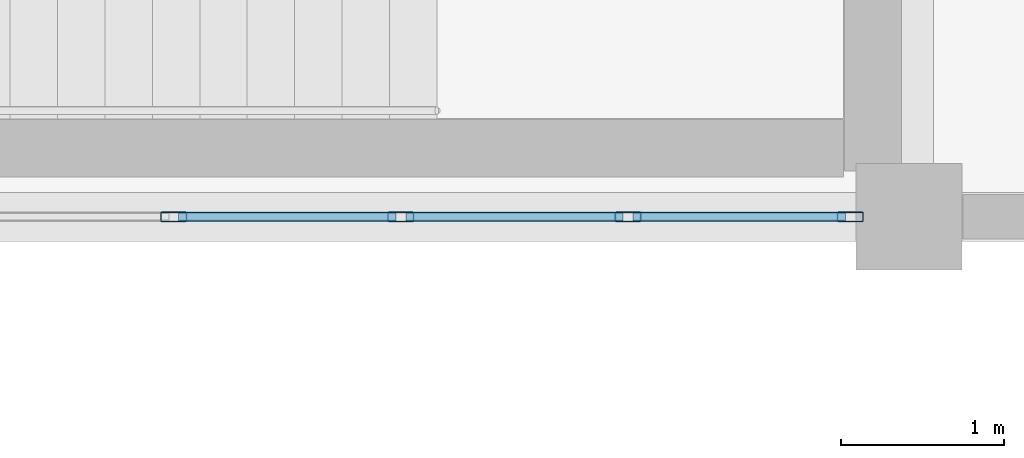
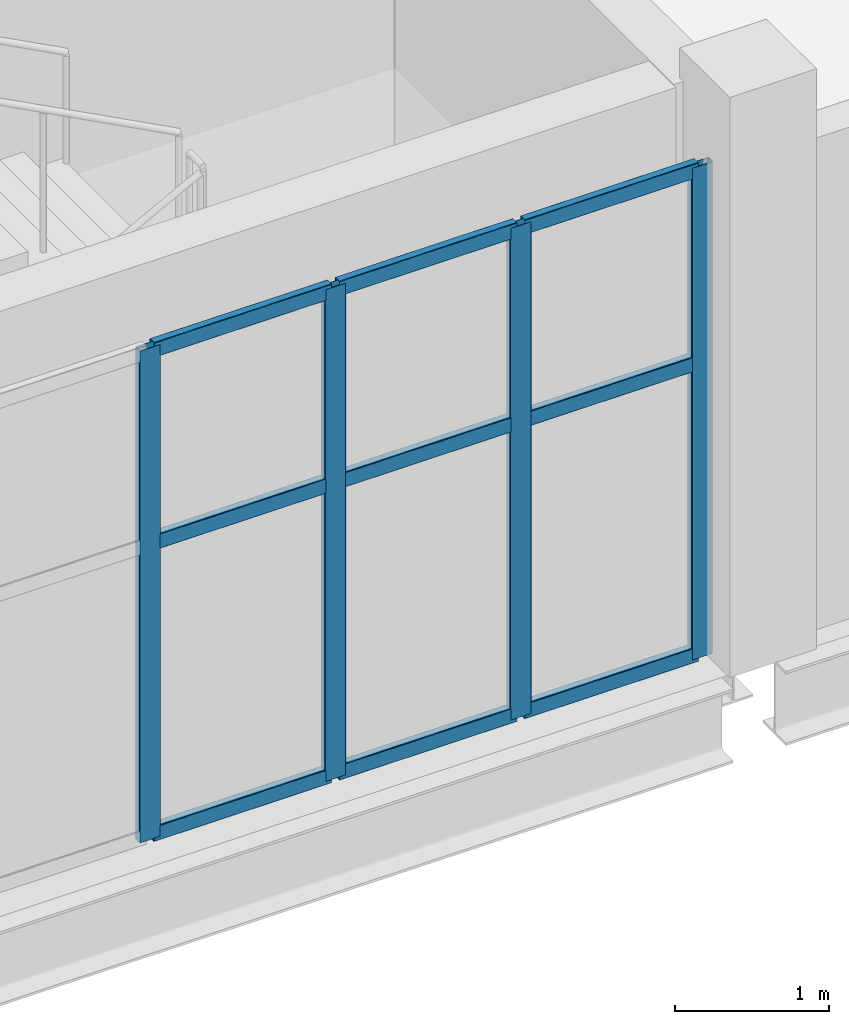
# One storey, part 121 of 172: 13 members, 1 element without a shape of its own.
"""IFC4 building model written with IfcOpenShell, lengths in metres."""

from ifc_helpers import new_model, si_unit, direction, frame, origin, origin_2d, place, context, subcontext, project, spatial, hollow_rectangle, extrude, material, material_profile, profile_set, type_object, element, aggregate, save


model = new_model("IFC4")

# Units and contexts
model_context = context("Model", 3, precision=1e-05, world=origin(), true_north=direction((0.0, 1.0)))
body_context = subcontext(model_context, "Body", "Model", "MODEL_VIEW")
ifc_project = project(units=[si_unit("LENGTHUNIT", "METRE"), si_unit("AREAUNIT", "SQUARE_METRE"), si_unit("VOLUMEUNIT", "CUBIC_METRE"), si_unit("PLANEANGLEUNIT", "RADIAN"), si_unit("MASSUNIT", "GRAM", prefix="KILO")], contexts=[model_context])

# Site, building, storey
site_placement = place(None, origin())
site = spatial("IfcSite", under=ifc_project, at=site_placement, CompositionType="ELEMENT")
building_placement = place(site_placement, origin())
building = spatial("IfcBuilding", under=site, at=building_placement, Name="Shengluoqiao Park Theatre", CompositionType="ELEMENT")
storey_placement = place(building_placement, frame((0.0, 0.0, 5.39990234375)))
storey = spatial("IfcBuildingStorey", under=building, at=storey_placement, Name="L01", CompositionType="ELEMENT", Elevation=5.39990234375)

# Curtain wall, members
ifc_material = material(Name="Aluminium 6063-T6", Category="aluminium")
curtain_wall_type = type_object("IfcCurtainWallType", Name="ENV-CW-CLERE", PredefinedType="NOTDEFINED", material=ifc_material)
curtain_wall_placement = place(storey_placement, origin())
curtain_wall = element("IfcCurtainWall", 1, at=curtain_wall_placement, inside=storey, type_object=curtain_wall_type, Name="L01 Curtain Wall CWX-L01-0178", PredefinedType="NOTDEFINED")
ifc_material_profile_1 = material_profile(ifc_material, hollow_rectangle(XDim=0.06005859375, YDim=0.159912109375, WallThickness=0.00390625, InnerFilletRadius=0.00390625, OuterFilletRadius=0.008056640625, at=origin_2d()), Name="ALU MULLION 160x60x4")
ifc_profile_set_1 = profile_set([ifc_material_profile_1], Name="Aluminium 6063-T6")
member_type_1 = type_object("IfcMemberType", Name="ENV-MUL-160", PredefinedType="MULLION", material=ifc_profile_set_1)
member_1_placement = place(storey_placement, frame((143.89990234375, 84.0, 0.0), z_axis=(0.0, 0.0, 1.0), x_axis=(0.0, 1.0, 0.0)))
member_1 = element("IfcMember", 2, at=member_1_placement, type_object=member_type_1, Name="CW-06 mullion 4", PredefinedType="MULLION", context=body_context, shape_type="SweptSolid", body=[
    extrude(hollow_rectangle(XDim=0.06005859375, YDim=0.159912109375, WallThickness=0.00390625, InnerFilletRadius=0.00390625, OuterFilletRadius=0.008056640625, at=origin_2d()), origin(), (0.0, 0.0, 1.0), 3.898193359375),
])
member_2_placement = place(storey_placement, frame((145.290283203125, 84.0, 0.0), z_axis=(0.0, 0.0, 1.0), x_axis=(0.0, 1.0, 0.0)))
member_2 = element("IfcMember", 3, at=member_2_placement, type_object=member_type_1, Name="CW-06 mullion 5", PredefinedType="MULLION", context=body_context, shape_type="SweptSolid", body=[
    extrude(hollow_rectangle(XDim=0.06005859375, YDim=0.159912109375, WallThickness=0.00390625, InnerFilletRadius=0.00390625, OuterFilletRadius=0.008056640625, at=origin_2d()), origin(), (0.0, 0.0, 1.0), 3.898193359375),
])
member_3_placement = place(storey_placement, frame((146.6806640625, 84.0, 0.0), z_axis=(0.0, 0.0, 1.0), x_axis=(0.0, 1.0, 0.0)))
member_3 = element("IfcMember", 4, at=member_3_placement, type_object=member_type_1, Name="CW-06 mullion 6", PredefinedType="MULLION", context=body_context, shape_type="SweptSolid", body=[
    extrude(hollow_rectangle(XDim=0.06005859375, YDim=0.159912109375, WallThickness=0.00390625, InnerFilletRadius=0.00390625, OuterFilletRadius=0.008056640625, at=origin_2d()), origin(), (0.0, 0.0, 1.0), 3.898193359375),
])
member_4_placement = place(storey_placement, frame((148.041015625, 84.0, 0.0), z_axis=(0.0, 0.0, 1.0), x_axis=(0.0, 1.0, 0.0)))
member_4 = element("IfcMember", 5, at=member_4_placement, type_object=member_type_1, Name="CW-06 mullion 7", PredefinedType="MULLION", context=body_context, shape_type="SweptSolid", body=[
    extrude(hollow_rectangle(XDim=0.06005859375, YDim=0.159912109375, WallThickness=0.00390625, InnerFilletRadius=0.00390625, OuterFilletRadius=0.008056640625, at=origin_2d()), origin(), (0.0, 0.0, 1.0), 3.898193359375),
])
ifc_material_profile_2 = material_profile(ifc_material, hollow_rectangle(XDim=0.06005859375, YDim=0.1201171875, WallThickness=0.00390625, InnerFilletRadius=0.00390625, OuterFilletRadius=0.008056640625, at=origin_2d()), Name="ALU TRANSOM 120x60x4")
ifc_profile_set_2 = profile_set([ifc_material_profile_2], Name="Aluminium 6063-T6")
member_type_2 = type_object("IfcMemberType", Name="ENV-TRN-120", PredefinedType="USERDEFINED", material=ifc_profile_set_2)
member_5_placement = place(storey_placement, frame((143.929931640625, 84.0, 0.030029296875), z_axis=(1.0, 0.0, 0.0), x_axis=(0.0, 1.0, 0.0)))
member_5 = element("IfcMember", 6, at=member_5_placement, type_object=member_type_2, Name="CW-06 transom 4.1", ObjectType="TRANSOM", PredefinedType="USERDEFINED", context=body_context, shape_type="SweptSolid", body=[
    extrude(hollow_rectangle(XDim=0.06005859375, YDim=0.1201171875, WallThickness=0.00390625, InnerFilletRadius=0.00390625, OuterFilletRadius=0.008056640625, at=origin_2d()), origin(), (0.0, 0.0, 1.0), 1.330322265625),
])
member_6_placement = place(storey_placement, frame((143.929931640625, 84.0, 2.339111328125), z_axis=(1.0, 0.0, 0.0), x_axis=(0.0, 1.0, 0.0)))
member_6 = element("IfcMember", 7, at=member_6_placement, type_object=member_type_2, Name="CW-06 transom 4.2", ObjectType="TRANSOM", PredefinedType="USERDEFINED", context=body_context, shape_type="SweptSolid", body=[
    extrude(hollow_rectangle(XDim=0.06005859375, YDim=0.1201171875, WallThickness=0.00390625, InnerFilletRadius=0.00390625, OuterFilletRadius=0.008056640625, at=origin_2d()), origin(), (0.0, 0.0, 1.0), 1.330322265625),
])
member_7_placement = place(storey_placement, frame((143.929931640625, 84.0, 3.8681640625), z_axis=(1.0, 0.0, 0.0), x_axis=(0.0, 1.0, 0.0)))
member_7 = element("IfcMember", 8, at=member_7_placement, type_object=member_type_2, Name="CW-06 transom 4.3", ObjectType="TRANSOM", PredefinedType="USERDEFINED", context=body_context, shape_type="SweptSolid", body=[
    extrude(hollow_rectangle(XDim=0.06005859375, YDim=0.1201171875, WallThickness=0.00390625, InnerFilletRadius=0.00390625, OuterFilletRadius=0.008056640625, at=origin_2d()), origin(), (0.0, 0.0, 1.0), 1.330322265625),
])
member_8_placement = place(storey_placement, frame((145.3203125, 84.0, 0.030029296875), z_axis=(1.0, 0.0, 0.0), x_axis=(0.0, 1.0, 0.0)))
member_8 = element("IfcMember", 9, at=member_8_placement, type_object=member_type_2, Name="CW-06 transom 5.1", ObjectType="TRANSOM", PredefinedType="USERDEFINED", context=body_context, shape_type="SweptSolid", body=[
    extrude(hollow_rectangle(XDim=0.06005859375, YDim=0.1201171875, WallThickness=0.00390625, InnerFilletRadius=0.00390625, OuterFilletRadius=0.008056640625, at=origin_2d()), origin(), (0.0, 0.0, 1.0), 1.330322265625),
])
member_9_placement = place(storey_placement, frame((145.3203125, 84.0, 2.339111328125), z_axis=(1.0, 0.0, 0.0), x_axis=(0.0, 1.0, 0.0)))
member_9 = element("IfcMember", 10, at=member_9_placement, type_object=member_type_2, Name="CW-06 transom 5.2", ObjectType="TRANSOM", PredefinedType="USERDEFINED", context=body_context, shape_type="SweptSolid", body=[
    extrude(hollow_rectangle(XDim=0.06005859375, YDim=0.1201171875, WallThickness=0.00390625, InnerFilletRadius=0.00390625, OuterFilletRadius=0.008056640625, at=origin_2d()), origin(), (0.0, 0.0, 1.0), 1.330322265625),
])
member_10_placement = place(storey_placement, frame((145.3203125, 84.0, 3.8681640625), z_axis=(1.0, 0.0, 0.0), x_axis=(0.0, 1.0, 0.0)))
member_10 = element("IfcMember", 11, at=member_10_placement, type_object=member_type_2, Name="CW-06 transom 5.3", ObjectType="TRANSOM", PredefinedType="USERDEFINED", context=body_context, shape_type="SweptSolid", body=[
    extrude(hollow_rectangle(XDim=0.06005859375, YDim=0.1201171875, WallThickness=0.00390625, InnerFilletRadius=0.00390625, OuterFilletRadius=0.008056640625, at=origin_2d()), origin(), (0.0, 0.0, 1.0), 1.330322265625),
])
member_11_placement = place(storey_placement, frame((146.710693359375, 84.0, 0.030029296875), z_axis=(1.0, 0.0, 0.0), x_axis=(0.0, 1.0, 0.0)))
member_11 = element("IfcMember", 12, at=member_11_placement, type_object=member_type_2, Name="CW-06 transom 6.1", ObjectType="TRANSOM", PredefinedType="USERDEFINED", context=body_context, shape_type="SweptSolid", body=[
    extrude(hollow_rectangle(XDim=0.06005859375, YDim=0.1201171875, WallThickness=0.00390625, InnerFilletRadius=0.00390625, OuterFilletRadius=0.008056640625, at=origin_2d()), origin(), (0.0, 0.0, 1.0), 1.30029296875),
])
member_12_placement = place(storey_placement, frame((146.710693359375, 84.0, 2.339111328125), z_axis=(1.0, 0.0, 0.0), x_axis=(0.0, 1.0, 0.0)))
member_12 = element("IfcMember", 13, at=member_12_placement, type_object=member_type_2, Name="CW-06 transom 6.2", ObjectType="TRANSOM", PredefinedType="USERDEFINED", context=body_context, shape_type="SweptSolid", body=[
    extrude(hollow_rectangle(XDim=0.06005859375, YDim=0.1201171875, WallThickness=0.00390625, InnerFilletRadius=0.00390625, OuterFilletRadius=0.008056640625, at=origin_2d()), origin(), (0.0, 0.0, 1.0), 1.30029296875),
])
member_13_placement = place(storey_placement, frame((146.710693359375, 84.0, 3.8681640625), z_axis=(1.0, 0.0, 0.0), x_axis=(0.0, 1.0, 0.0)))
member_13 = element("IfcMember", 14, at=member_13_placement, type_object=member_type_2, Name="CW-06 transom 6.3", ObjectType="TRANSOM", PredefinedType="USERDEFINED", context=body_context, shape_type="SweptSolid", body=[
    extrude(hollow_rectangle(XDim=0.06005859375, YDim=0.1201171875, WallThickness=0.00390625, InnerFilletRadius=0.00390625, OuterFilletRadius=0.008056640625, at=origin_2d()), origin(), (0.0, 0.0, 1.0), 1.30029296875),
])
aggregate(curtain_wall, [member_1, member_2, member_3, member_4, member_5, member_6, member_7, member_8, member_9, member_10, member_11, member_12, member_13])

save(model, "model.ifc")
